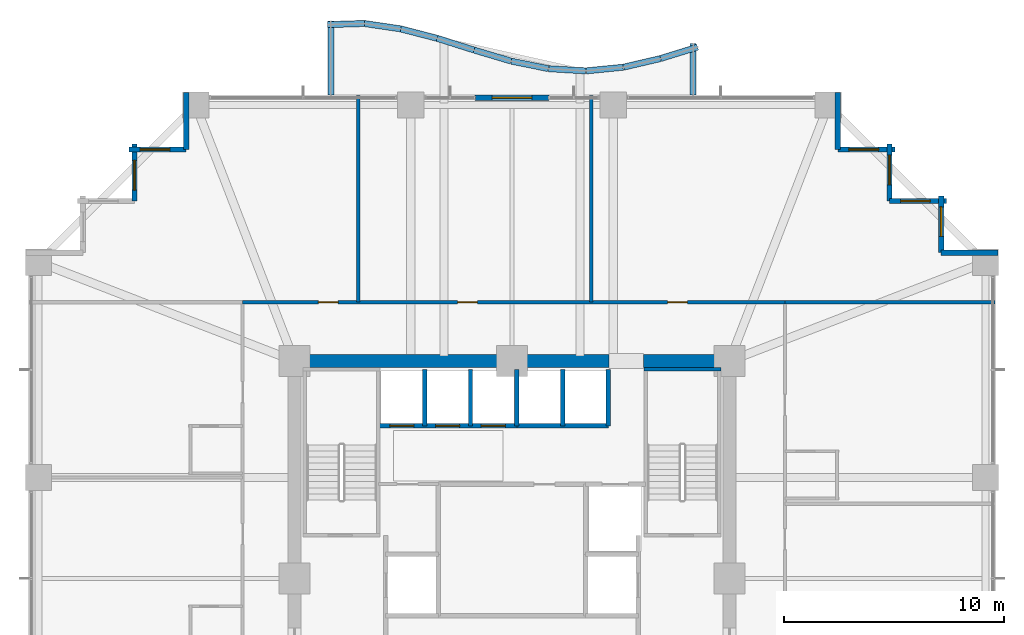
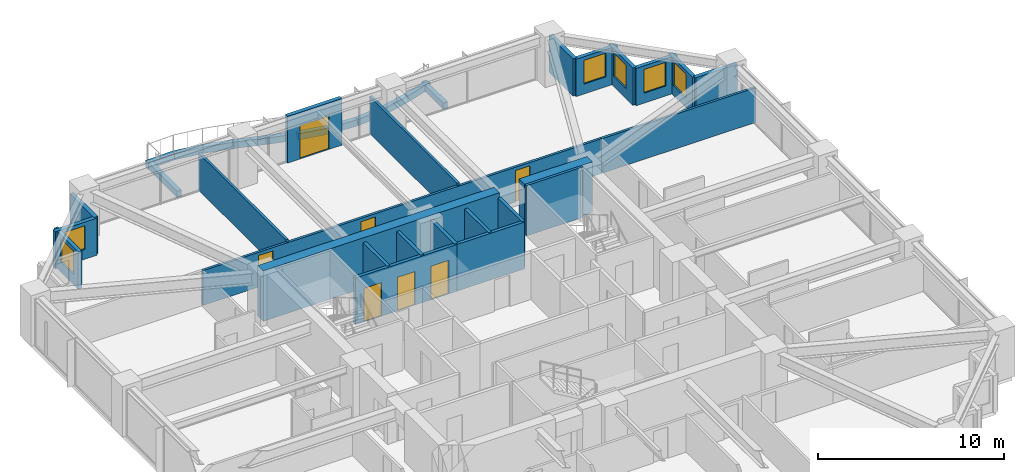
# One storey, part 35 of 38: 36 walls, 7 doors, 6 windows, 13 openings.
"""IFC4 building model written with IfcOpenShell, lengths in metres."""

import ifcopenshell
import ifcopenshell.guid

model = None  # the IFC model being written
_history = None  # IfcOwnerHistory: only IFC2X3 demands one
_inside = {}  # id of a spatial element -> (the spatial element, [elements in it])
_under = {}  # id of a project, library or spatial element -> (it, [spatial elements below it])
_declared = {}  # id of a project -> (the project, [libraries it declares])
_typed = {}  # id of a type object -> (the type object, [elements of that type])
_made_of = {}  # id of a material, layer set ... -> (it, [elements and type objects made of it])


def new_model(schema):
    """Start an empty IFC model of exactly this schema.

    Asked for "IFC4X3", IfcOpenShell would pick the latest addendum, in which some entities
    have other attributes; the version numbers below select the first issue.
    IFC2X3 requires an IfcOwnerHistory on every rooted entity: one is made here for all.
    """
    global model, _history
    if schema == "IFC4X3":
        model = ifcopenshell.file(schema_version=(4, 3, 0, 0))
    else:
        model = ifcopenshell.file(schema=schema)
    _inside.clear()
    _under.clear()
    _declared.clear()
    _typed.clear()
    _made_of.clear()
    _history = None
    if model.schema == "IFC2X3":
        org = make("IfcOrganization", Name="unknown")
        user = make(
            "IfcPersonAndOrganization",
            ThePerson=make("IfcPerson", FamilyName="unknown"),
            TheOrganization=org,
        )
        app = make(
            "IfcApplication",
            ApplicationDeveloper=org,
            Version="unknown",
            ApplicationFullName="unknown",
            ApplicationIdentifier="unknown",
        )
        _history = make(
            "IfcOwnerHistory",
            OwningUser=user,
            OwningApplication=app,
            ChangeAction="ADDED",
            CreationDate=0,
        )
    return model


def make(cls, **values):
    """One entity of the class cls with the attributes given. An attribute that is None is left unset."""
    return model.create_entity(
        cls, **{name: value for name, value in values.items() if value is not None}
    )


def rooted(cls, **values):
    """An entity with a GlobalId (a new one), such as an element, a storey or a relation."""
    return make(cls, GlobalId=ifcopenshell.guid.new(), OwnerHistory=_history, **values)


def si_unit(unit_type, name, prefix=None):
    """IfcSIUnit, for example si_unit("LENGTHUNIT", "METRE", prefix="MILLI")."""
    return make("IfcSIUnit", UnitType=unit_type, Prefix=prefix, Name=name)


def assignment(units):
    """IfcUnitAssignment: the units of a project."""
    return None if units is None else make("IfcUnitAssignment", Units=units)


def point(xyz):
    """IfcCartesianPoint."""
    return None if xyz is None else make("IfcCartesianPoint", Coordinates=xyz)


def direction(xyz):
    """IfcDirection."""
    return None if xyz is None else make("IfcDirection", DirectionRatios=xyz)


def frame(location, z_axis=None, x_axis=None):
    """IfcAxis2Placement3D, a coordinate frame: its origin and axes. An axis left out is left unset."""
    return make(
        "IfcAxis2Placement3D",
        Location=point(location),
        Axis=direction(z_axis),
        RefDirection=direction(x_axis),
    )


def frame_2d(location, x_axis=None):
    """IfcAxis2Placement2D, a coordinate frame in the plane: its origin and x axis."""
    return make(
        "IfcAxis2Placement2D", Location=point(location), RefDirection=direction(x_axis)
    )


def origin():
    """The frame at (0, 0, 0) with its axes left unset."""
    return frame((0.0, 0.0, 0.0))


def place(relative_to, where):
    """IfcLocalPlacement: puts the frame where relative to a parent placement (None: the world)."""
    return make(
        "IfcLocalPlacement", PlacementRelTo=relative_to, RelativePlacement=where
    )


def context(
    kind, dimensions, precision=None, world=None, true_north=None, identifier=None
):
    """IfcGeometricRepresentationContext, for example the 3D "Model" context."""
    return make(
        "IfcGeometricRepresentationContext",
        ContextIdentifier=identifier,
        ContextType=kind,
        CoordinateSpaceDimension=dimensions,
        Precision=precision,
        WorldCoordinateSystem=world,
        TrueNorth=true_north,
    )


def subcontext(parent, identifier, kind, view, scale=None):
    """IfcGeometricRepresentationSubContext, for example "Body" below "Model"."""
    return make(
        "IfcGeometricRepresentationSubContext",
        ContextIdentifier=identifier,
        ContextType=kind,
        ParentContext=parent,
        TargetScale=scale,
        TargetView=view,
    )


def project(units=None, contexts=None):
    """IfcProject with its units and contexts."""
    return rooted(
        "IfcProject",
        Name="project",
        RepresentationContexts=contexts,
        UnitsInContext=assignment(units),
    )


def spatial(cls, under=None, at=None, **own):
    """A site, building, storey or space (cls), placed at a placement, below another one or the project."""
    s = rooted(cls, ObjectPlacement=at, **own)
    if under is not None:
        _under.setdefault(under.id(), (under, []))[1].append(s)
    return s


def profile(cls, at=None, kind="AREA", **sizes):
    """A parametric profile (cls). Its sizes go by their IFC names, for example OverallWidth=200.0."""
    return make(cls, ProfileType=kind, Position=at, **sizes)


def rectangle(**sizes):
    """IfcRectangleProfileDef."""
    return profile("IfcRectangleProfileDef", **sizes)


def extrude(swept, where, along, depth):
    """IfcExtrudedAreaSolid: the profile swept, set in the frame where, extruded along a direction by depth."""
    return make(
        "IfcExtrudedAreaSolid",
        SweptArea=swept,
        Position=where,
        ExtrudedDirection=direction(along),
        Depth=depth,
    )


def shape(context_of_items, identifier, shape_type, items):
    """IfcShapeRepresentation: the items that make up one representation, for example the "Body"."""
    return make(
        "IfcShapeRepresentation",
        ContextOfItems=context_of_items,
        RepresentationIdentifier=identifier,
        RepresentationType=shape_type,
        Items=items,
    )


def material(Name=None, Category=None):
    """IfcMaterial."""
    return make("IfcMaterial", Name=Name, Category=Category)


def layer(
    of_material, thickness, ventilated=None, Name=None, Category=None, Priority=None
):
    """IfcMaterialLayer: one layer of a wall or slab, of a material (None: an air gap)."""
    return make(
        "IfcMaterialLayer",
        Material=of_material,
        LayerThickness=thickness,
        IsVentilated=ventilated,
        Name=Name,
        Category=Category,
        Priority=Priority,
    )


def layer_set(layers, Name=None):
    """IfcMaterialLayerSet."""
    return make("IfcMaterialLayerSet", MaterialLayers=layers, LayerSetName=Name)


def made_of(thing, what):
    """Note that an element or type object is made of a material, layer set ...; save() writes the relation."""
    if what is not None:
        _made_of.setdefault(what.id(), (what, []))[1].append(thing)
    return thing


def type_object(cls, material=None, **own):
    """A type object (cls), such as IfcWallType, which elements share."""
    return made_of(rooted(cls, **own), material)


def element(
    cls,
    number,
    at=None,
    inside=None,
    cuts=None,
    type_object=None,
    material=None,
    context=None,
    identifier="Body",
    shape_type=None,
    held_by="IfcProductDefinitionShape",
    body=None,
    shapes=None,
    **own,
):
    """One element of the class cls, such as IfcWall. Its Tag is "e" and its number.

    at: its placement. inside: the storey or other place that contains it. cuts: it is an
    opening in that element (IfcRelVoidsElement). A single representation is given by context,
    identifier, shape_type and body (its items); several are given by shapes. held_by: the class
    of the entity that holds the representations. save() writes the other relations.
    """
    e = rooted(cls, Tag="e%d" % number, ObjectPlacement=at, **own)
    if body is not None:
        shapes = [shape(context, identifier, shape_type, body)]
    if shapes is not None:
        e.Representation = make(held_by, Representations=shapes)
    if inside is not None:
        _inside.setdefault(inside.id(), (inside, []))[1].append(e)
    if cuts is not None:
        rooted(
            "IfcRelVoidsElement", RelatingBuildingElement=cuts, RelatedOpeningElement=e
        )
    if type_object is not None:
        _typed.setdefault(type_object.id(), (type_object, []))[1].append(e)
    return made_of(e, material)


def fill(opening, filler):
    """IfcRelFillsElement: the door or window that sits in an opening."""
    return rooted(
        "IfcRelFillsElement",
        RelatingOpeningElement=opening,
        RelatedBuildingElement=filler,
    )


def aggregate(whole, parts):
    """IfcRelAggregates: a whole, such as a stair, and the parts it consists of."""
    return rooted("IfcRelAggregates", RelatingObject=whole, RelatedObjects=parts)


def save(model, path):
    """Write the relations noted so far, then the file.

    IfcRelAggregates (storeys below a building ...), IfcRelContainedInSpatialStructure (elements
    in a storey), IfcRelDefinesByType, IfcRelAssociatesMaterial and IfcRelDeclares: one each for
    every whole, place, type object, material and project.
    """
    for whole, parts in _under.values():
        aggregate(whole, parts)
    for where, things in _inside.values():
        rooted(
            "IfcRelContainedInSpatialStructure",
            RelatedElements=things,
            RelatingStructure=where,
        )
    for kind, things in _typed.values():
        rooted("IfcRelDefinesByType", RelatedObjects=things, RelatingType=kind)
    for what, things in _made_of.values():
        rooted("IfcRelAssociatesMaterial", RelatedObjects=things, RelatingMaterial=what)
    for by, libraries in _declared.values():
        rooted("IfcRelDeclares", RelatingContext=by, RelatedDefinitions=libraries)
    model.write(path)


model = new_model("IFC4")

# Units and contexts
model_context = context("Model", 3, precision=1e-05, world=origin(), true_north=direction((0.0, 1.0)))
body_context = subcontext(model_context, "Body", "Model", "MODEL_VIEW")
ifc_project = project(units=[si_unit("LENGTHUNIT", "METRE"), si_unit("AREAUNIT", "SQUARE_METRE"), si_unit("VOLUMEUNIT", "CUBIC_METRE"), si_unit("PLANEANGLEUNIT", "RADIAN"), si_unit("MASSUNIT", "GRAM", prefix="KILO")], contexts=[model_context])

# Site, building, storey
site_placement = place(None, origin())
site = spatial("IfcSite", under=ifc_project, at=site_placement, CompositionType="ELEMENT")
building_placement = place(site_placement, origin())
building = spatial("IfcBuilding", under=site, at=building_placement, Name="Kolvaren Belvedere", CompositionType="ELEMENT")
storey_placement = place(building_placement, frame((0.0, 0.0, 27.10009765625)))
storey = spatial("IfcBuildingStorey", under=building, at=storey_placement, Name="L07", CompositionType="ELEMENT", Elevation=27.10009765625)

# Walls
ifc_material_1 = material(Name="Concrete C60/75", Category="concrete")
ifc_layer_1 = layer(ifc_material_1, 0.60009765625)
ifc_layer_set_1 = layer_set([ifc_layer_1], Name="Concrete C60/75")
wall_type_1 = type_object("IfcWallType", Name="CW-CORE-600", PredefinedType="SHEAR", material=ifc_layer_set_1)
wall_1_placement = place(storey_placement, frame((-10.199951171875, 9.89990234375, 0.0), z_axis=(0.0, 0.0, 1.0), x_axis=(1.0, 0.0, 0.0)))
element("IfcWall", 1, at=wall_1_placement, inside=storey, type_object=wall_type_1, Name="L07 North Core Shear Wall 1", PredefinedType="SHEAR", context=body_context, shape_type="SweptSolid", body=[
    extrude(rectangle(XDim=14.619873046875, YDim=0.60009765625, at=frame_2d((7.31005859375, 0.0))), origin(), (0.0, 0.0, 1.0), 3.2998046875),
])
wall_2_placement = place(storey_placement, frame((5.97998046875, 9.89990234375, 0.0), z_axis=(0.0, 0.0, 1.0), x_axis=(1.0, 0.0, 0.0)))
element("IfcWall", 2, at=wall_2_placement, inside=storey, type_object=wall_type_1, Name="L07 North Core Shear Wall 2", PredefinedType="SHEAR", context=body_context, shape_type="SweptSolid", body=[
    extrude(rectangle(XDim=4.219970703125, YDim=0.60009765625, at=frame_2d((2.10986328125, 0.0))), origin(), (0.0, 0.0, 1.0), 3.2998046875),
])
ifc_material_2 = material(Name="Concrete C50/60", Category="concrete")
ifc_layer_2 = layer(ifc_material_2, 0.159912109375)
ifc_layer_set_2 = layer_set([ifc_layer_2], Name="Concrete C50/60")
wall_type_2 = type_object("IfcWallType", Name="CW-STAIR-160", PredefinedType="SHEAR", material=ifc_layer_set_2)
wall_3_placement = place(storey_placement, frame((6.0, 9.530029296875, 0.0), z_axis=(0.0, 0.0, 1.0), x_axis=(1.0, 0.0, 0.0)))
element("IfcWall", 3, at=wall_3_placement, inside=storey, type_object=wall_type_2, Name="L07 Stair ST-2 North Shear Wall", PredefinedType="SHEAR", context=body_context, shape_type="SweptSolid", body=[
    extrude(rectangle(XDim=3.52001953125, YDim=0.159912109375, at=frame_2d((1.760009765625, 0.0))), origin(), (0.0, 0.0, 1.0), 3.2998046875),
])

# Wall, openings, doors
ifc_material_3 = material(Name="Gypsum fire-rated partition assembly", Category="gypsum")
ifc_layer_3 = layer(ifc_material_3, 0.14990234375)
ifc_layer_set_3 = layer_set([ifc_layer_3], Name="Gypsum fire-rated partition assembly")
wall_type_3 = type_object("IfcWallType", Name="WL-CORR-150", PredefinedType="PARTITIONING", material=ifc_layer_set_3)
wall_4_placement = place(storey_placement, frame((-12.260009765625, 12.580078125, 0.0), z_axis=(0.0, 0.0, 1.0), x_axis=(1.0, 0.0, 0.0)))
wall_4 = element("IfcWall", 4, at=wall_4_placement, inside=storey, type_object=wall_type_3, Name="L07 North Corridor Wall", PredefinedType="PARTITIONING", context=body_context, shape_type="SweptSolid", body=[
    extrude(rectangle(XDim=24.679931640625, YDim=0.14990234375, at=frame_2d((12.33984375, 0.0))), origin(), (0.0, 0.0, 1.0), 2.27197265625),
])
opening_1_placement = place(wall_4_placement, frame((3.4443359375, 0.0, 0.0)))
opening_1 = element("IfcOpeningElement", 5, at=opening_1_placement, cuts=wall_4, Name="Opening D-INT90", PredefinedType="OPENING", context=body_context, shape_type="SweptSolid", body=[
    extrude(rectangle(XDim=0.89990234375, YDim=2.06005859375, at=frame_2d((0.449951171875, 1.030029296875))), frame((0.0, 0.0849609375, 0.0), z_axis=(0.0, -1.0, 0.0), x_axis=(1.0, 0.0, 0.0)), (0.0, 0.0, 1.0), 0.169921875),
])
opening_2_placement = place(wall_4_placement, frame((9.780029296875, 0.0, 0.0)))
opening_2 = element("IfcOpeningElement", 6, at=opening_2_placement, cuts=wall_4, Name="Opening D-INT90", PredefinedType="OPENING", context=body_context, shape_type="SweptSolid", body=[
    extrude(rectangle(XDim=0.89990234375, YDim=2.06005859375, at=frame_2d((0.449951171875, 1.030029296875))), frame((0.0, 0.0849609375, 0.0), z_axis=(0.0, -1.0, 0.0), x_axis=(1.0, 0.0, 0.0)), (0.0, 0.0, 1.0), 0.169921875),
])
opening_3_placement = place(wall_4_placement, frame((19.344970703125, 0.0, 0.0)))
opening_3 = element("IfcOpeningElement", 7, at=opening_3_placement, cuts=wall_4, Name="Opening D-INT90", PredefinedType="OPENING", context=body_context, shape_type="SweptSolid", body=[
    extrude(rectangle(XDim=0.89990234375, YDim=2.06005859375, at=frame_2d((0.449951171875, 1.030029296875))), frame((0.0, 0.0849609375, 0.0), z_axis=(0.0, -1.0, 0.0), x_axis=(1.0, 0.0, 0.0)), (0.0, 0.0, 1.0), 0.169921875),
])
ifc_material_4 = material(Name="Stained Pacific white oak", Category="timber")
door_type_1 = type_object("IfcDoorType", Name="DR-INT-900", OperationType="NOTDEFINED", PredefinedType="DOOR", material=ifc_material_4)
door_1_placement = place(opening_1_placement, origin())
door_1 = element("IfcDoor", 8, at=door_1_placement, inside=storey, type_object=door_type_1, Name="L07 Lounge 712 Door", OperationType="SINGLE_SWING_RIGHT", OverallHeight=2.06005859375, OverallWidth=0.89990234375, PredefinedType="DOOR", context=body_context, shape_type="SweptSolid", body=[
    extrude(rectangle(XDim=0.89990234375, YDim=2.06005859375, at=frame_2d((0.449951171875, 1.030029296875))), frame((0.0, 0.02490234375, 0.0), z_axis=(0.0, -1.0, 0.0), x_axis=(1.0, 0.0, 0.0)), (0.0, 0.0, 1.0), 0.050048828125),
])
fill(opening_1, door_1)
door_2_placement = place(opening_2_placement, origin())
door_2 = element("IfcDoor", 9, at=door_2_placement, inside=storey, type_object=door_type_1, Name="L07 Lounge 713 Door", OperationType="SINGLE_SWING_LEFT", OverallHeight=2.06005859375, OverallWidth=0.89990234375, PredefinedType="DOOR", context=body_context, shape_type="SweptSolid", body=[
    extrude(rectangle(XDim=0.89990234375, YDim=2.06005859375, at=frame_2d((0.449951171875, 1.030029296875))), frame((0.0, 0.02490234375, 0.0), z_axis=(0.0, -1.0, 0.0), x_axis=(1.0, 0.0, 0.0)), (0.0, 0.0, 1.0), 0.050048828125),
])
fill(opening_2, door_2)
door_3_placement = place(opening_3_placement, origin())
door_3 = element("IfcDoor", 10, at=door_3_placement, inside=storey, type_object=door_type_1, Name="L07 Lounge 714 Door", OperationType="SINGLE_SWING_RIGHT", OverallHeight=2.06005859375, OverallWidth=0.89990234375, PredefinedType="DOOR", context=body_context, shape_type="SweptSolid", body=[
    extrude(rectangle(XDim=0.89990234375, YDim=2.06005859375, at=frame_2d((0.449951171875, 1.030029296875))), frame((0.0, 0.02490234375, 0.0), z_axis=(0.0, -1.0, 0.0), x_axis=(1.0, 0.0, 0.0)), (0.0, 0.0, 1.0), 0.050048828125),
])
fill(opening_3, door_3)

# Wall
ifc_material_5 = material(Name="Insulated pale-metal facade wall assembly", Category="aluminium")
ifc_layer_4 = layer(ifc_material_5, 0.239990234375)
ifc_layer_set_4 = layer_set([ifc_layer_4], Name="Insulated pale-metal facade wall assembly")
wall_type_4 = type_object("IfcWallType", Name="WL-EXT-240", PredefinedType="STANDARD", material=ifc_layer_set_4)
wall_5_placement = place(storey_placement, frame((19.530029296875, 14.830078125, 0.0), z_axis=(0.0, 0.0, 1.0), x_axis=(1.0, 0.0, 0.0)))
element("IfcWall", 11, at=wall_5_placement, inside=storey, type_object=wall_type_4, Name="L07 Serrated Corner Facade Wall 9", PredefinedType="STANDARD", context=body_context, shape_type="SweptSolid", body=[
    extrude(rectangle(XDim=2.590087890625, YDim=0.239990234375, at=frame_2d((1.294921875, 0.0))), origin(), (0.0, 0.0, 1.0), 2.43896484375),
])

# Wall, opening, window
wall_6_placement = place(storey_placement, frame((19.530029296875, 17.419921875, 0.0), z_axis=(0.0, 0.0, 1.0), x_axis=(0.0, -1.0, 0.0)))
wall_6 = element("IfcWall", 12, at=wall_6_placement, inside=storey, type_object=wall_type_4, Name="L07 Serrated Corner Facade Wall 10", PredefinedType="STANDARD", context=body_context, shape_type="SweptSolid", body=[
    extrude(rectangle(XDim=2.58984375, YDim=0.239990234375, at=frame_2d((1.294921875, 0.0))), origin(), (0.0, 0.0, 1.0), 2.43896484375),
])
opening_4_placement = place(wall_6_placement, frame((0.5, 0.0, 0.64990234375)))
opening_4 = element("IfcOpeningElement", 13, at=opening_4_placement, cuts=wall_6, Name="Opening W-1350", PredefinedType="OPENING", context=body_context, shape_type="SweptSolid", body=[
    extrude(rectangle(XDim=1.35009765625, YDim=1.550048828125, at=frame_2d((0.675048828125, 0.77490234375))), frame((0.0, 0.1298828125, 0.0), z_axis=(0.0, -1.0, 0.0), x_axis=(1.0, 0.0, 0.0)), (0.0, 0.0, 1.0), 0.260009765625),
])
ifc_material_6 = material(Name="Low-iron triple insulated glass", Category="glass")
window_type = type_object("IfcWindowType", Name="WN-CORN-1350", PartitioningType="SINGLE_PANEL", PredefinedType="WINDOW", material=ifc_material_6)
window_1_placement = place(opening_4_placement, origin())
window_1 = element("IfcWindow", 14, at=window_1_placement, inside=storey, type_object=window_type, Name="L07 Serrated Corner Vision Window 10", OverallHeight=1.550048828125, OverallWidth=1.35009765625, PartitioningType="SINGLE_PANEL", PredefinedType="WINDOW", context=body_context, shape_type="SweptSolid", body=[
    extrude(rectangle(XDim=1.35009765625, YDim=1.550048828125, at=frame_2d((0.675048828125, 0.77490234375))), frame((0.0, 0.030029296875, 0.0), z_axis=(0.0, -1.0, 0.0), x_axis=(1.0, 0.0, 0.0)), (0.0, 0.0, 1.0), 0.06005859375),
])
fill(opening_4, window_1)

wall_7_placement = place(storey_placement, frame((17.179931640625, 17.179931640625, 0.0), z_axis=(0.0, 0.0, 1.0), x_axis=(1.0, 0.0, 0.0)))
wall_7 = element("IfcWall", 15, at=wall_7_placement, inside=storey, type_object=wall_type_4, Name="L07 Serrated Corner Facade Wall 11", PredefinedType="STANDARD", context=body_context, shape_type="SweptSolid", body=[
    extrude(rectangle(XDim=2.590087890625, YDim=0.239990234375, at=frame_2d((1.294921875, 0.0))), origin(), (0.0, 0.0, 1.0), 2.43896484375),
])
opening_5_placement = place(wall_7_placement, frame((0.5, 0.0, 0.64990234375)))
opening_5 = element("IfcOpeningElement", 16, at=opening_5_placement, cuts=wall_7, Name="Opening W-1350", PredefinedType="OPENING", context=body_context, shape_type="SweptSolid", body=[
    extrude(rectangle(XDim=1.35009765625, YDim=1.550048828125, at=frame_2d((0.675048828125, 0.77490234375))), frame((0.0, 0.1298828125, 0.0), z_axis=(0.0, -1.0, 0.0), x_axis=(1.0, 0.0, 0.0)), (0.0, 0.0, 1.0), 0.260009765625),
])
window_2_placement = place(opening_5_placement, origin())
window_2 = element("IfcWindow", 17, at=window_2_placement, inside=storey, type_object=window_type, Name="L07 Serrated Corner Vision Window 11", OverallHeight=1.550048828125, OverallWidth=1.35009765625, PartitioningType="SINGLE_PANEL", PredefinedType="WINDOW", context=body_context, shape_type="SweptSolid", body=[
    extrude(rectangle(XDim=1.35009765625, YDim=1.550048828125, at=frame_2d((0.675048828125, 0.77490234375))), frame((0.0, 0.030029296875, 0.0), z_axis=(0.0, -1.0, 0.0), x_axis=(1.0, 0.0, 0.0)), (0.0, 0.0, 1.0), 0.06005859375),
])
fill(opening_5, window_2)

wall_8_placement = place(storey_placement, frame((17.179931640625, 19.77001953125, 0.0), z_axis=(0.0, 0.0, 1.0), x_axis=(0.0, -1.0, 0.0)))
wall_8 = element("IfcWall", 18, at=wall_8_placement, inside=storey, type_object=wall_type_4, Name="L07 Serrated Corner Facade Wall 12", PredefinedType="STANDARD", context=body_context, shape_type="SweptSolid", body=[
    extrude(rectangle(XDim=2.590087890625, YDim=0.239990234375, at=frame_2d((1.294921875, 0.0))), origin(), (0.0, 0.0, 1.0), 2.43896484375),
])
opening_6_placement = place(wall_8_placement, frame((0.5, 0.0, 0.64990234375)))
opening_6 = element("IfcOpeningElement", 19, at=opening_6_placement, cuts=wall_8, Name="Opening W-1350", PredefinedType="OPENING", context=body_context, shape_type="SweptSolid", body=[
    extrude(rectangle(XDim=1.35009765625, YDim=1.550048828125, at=frame_2d((0.675048828125, 0.77490234375))), frame((0.0, 0.1298828125, 0.0), z_axis=(0.0, -1.0, 0.0), x_axis=(1.0, 0.0, 0.0)), (0.0, 0.0, 1.0), 0.260009765625),
])
window_3_placement = place(opening_6_placement, origin())
window_3 = element("IfcWindow", 20, at=window_3_placement, inside=storey, type_object=window_type, Name="L07 Serrated Corner Vision Window 12", OverallHeight=1.550048828125, OverallWidth=1.35009765625, PartitioningType="SINGLE_PANEL", PredefinedType="WINDOW", context=body_context, shape_type="SweptSolid", body=[
    extrude(rectangle(XDim=1.35009765625, YDim=1.550048828125, at=frame_2d((0.675048828125, 0.77490234375))), frame((0.0, 0.030029296875, 0.0), z_axis=(0.0, -1.0, 0.0), x_axis=(1.0, 0.0, 0.0)), (0.0, 0.0, 1.0), 0.06005859375),
])
fill(opening_6, window_3)

wall_9_placement = place(storey_placement, frame((14.830078125, 19.530029296875, 0.0), z_axis=(0.0, 0.0, 1.0), x_axis=(1.0, 0.0, 0.0)))
wall_9 = element("IfcWall", 21, at=wall_9_placement, inside=storey, type_object=wall_type_4, Name="L07 Serrated Corner Facade Wall 13", PredefinedType="STANDARD", context=body_context, shape_type="SweptSolid", body=[
    extrude(rectangle(XDim=2.58984375, YDim=0.239990234375, at=frame_2d((1.294921875, 0.0))), origin(), (0.0, 0.0, 1.0), 2.43896484375),
])
opening_7_placement = place(wall_9_placement, frame((0.5, 0.0, 0.64990234375)))
opening_7 = element("IfcOpeningElement", 22, at=opening_7_placement, cuts=wall_9, Name="Opening W-1350", PredefinedType="OPENING", context=body_context, shape_type="SweptSolid", body=[
    extrude(rectangle(XDim=1.35009765625, YDim=1.550048828125, at=frame_2d((0.675048828125, 0.77490234375))), frame((0.0, 0.1298828125, 0.0), z_axis=(0.0, -1.0, 0.0), x_axis=(1.0, 0.0, 0.0)), (0.0, 0.0, 1.0), 0.260009765625),
])
window_4_placement = place(opening_7_placement, origin())
window_4 = element("IfcWindow", 23, at=window_4_placement, inside=storey, type_object=window_type, Name="L07 Serrated Corner Vision Window 13", OverallHeight=1.550048828125, OverallWidth=1.35009765625, PartitioningType="SINGLE_PANEL", PredefinedType="WINDOW", context=body_context, shape_type="SweptSolid", body=[
    extrude(rectangle(XDim=1.35009765625, YDim=1.550048828125, at=frame_2d((0.675048828125, 0.77490234375))), frame((0.0, 0.030029296875, 0.0), z_axis=(0.0, -1.0, 0.0), x_axis=(1.0, 0.0, 0.0)), (0.0, 0.0, 1.0), 0.06005859375),
])
fill(opening_7, window_4)

# Wall
wall_10_placement = place(storey_placement, frame((14.830078125, 22.1201171875, 0.0), z_axis=(0.0, 0.0, 1.0), x_axis=(0.0, -1.0, 0.0)))
element("IfcWall", 24, at=wall_10_placement, inside=storey, type_object=wall_type_4, Name="L07 Serrated Corner Facade Wall 14", PredefinedType="STANDARD", context=body_context, shape_type="SweptSolid", body=[
    extrude(rectangle(XDim=2.590087890625, YDim=0.239990234375, at=frame_2d((1.294921875, 0.0))), origin(), (0.0, 0.0, 1.0), 2.43896484375),
])

# Wall, opening, door
wall_11_placement = place(storey_placement, frame((-1.679931640625, 21.8798828125, 0.0), z_axis=(0.0, 0.0, 1.0), x_axis=(1.0, 0.0, 0.0)))
wall_11 = element("IfcWall", 25, at=wall_11_placement, inside=storey, type_object=wall_type_4, Name="L07 North Terrace Portal Wall", PredefinedType="STANDARD", context=body_context, shape_type="SweptSolid", body=[
    extrude(rectangle(XDim=3.35986328125, YDim=0.239990234375, at=frame_2d((1.679931640625, 0.0))), origin(), (0.0, 0.0, 1.0), 3.059814453125),
])
opening_8_placement = place(wall_11_placement, frame((0.780029296875, 0.0, 0.0)))
opening_8 = element("IfcOpeningElement", 26, at=opening_8_placement, cuts=wall_11, Name="Opening DB-1800", PredefinedType="OPENING", context=body_context, shape_type="SweptSolid", body=[
    extrude(rectangle(XDim=1.800048828125, YDim=2.199951171875, at=frame_2d((0.89990234375, 1.10009765625))), frame((0.0, 0.1298828125, 0.0), z_axis=(0.0, -1.0, 0.0), x_axis=(1.0, 0.0, 0.0)), (0.0, 0.0, 1.0), 0.260009765625),
])
ifc_material_7 = material(Name="Thermally broken pale-metal aluminium & low-iron glass", Category="aluminium")
door_type_2 = type_object("IfcDoorType", Name="DR-BAL-1800", OperationType="DOUBLE_DOOR_SLIDING", PredefinedType="DOOR", material=ifc_material_7)
door_4_placement = place(opening_8_placement, origin())
door_4 = element("IfcDoor", 27, at=door_4_placement, inside=storey, type_object=door_type_2, Name="L07 North Planted Terrace Sliding Door", OperationType="DOUBLE_DOOR_SLIDING", OverallHeight=2.199951171875, OverallWidth=1.800048828125, PredefinedType="DOOR", context=body_context, shape_type="SweptSolid", body=[
    extrude(rectangle(XDim=1.800048828125, YDim=2.199951171875, at=frame_2d((0.89990234375, 1.10009765625))), frame((0.0, 0.02490234375, 0.0), z_axis=(0.0, -1.0, 0.0), x_axis=(1.0, 0.0, 0.0)), (0.0, 0.0, 1.0), 0.050048828125),
])
fill(opening_8, door_4)

# Wall
wall_12_placement = place(storey_placement, frame((-14.830078125, 19.530029296875, 0.0), z_axis=(0.0, 0.0, 1.0), x_axis=(0.0, 1.0, 0.0)))
element("IfcWall", 28, at=wall_12_placement, inside=storey, type_object=wall_type_4, Name="L07 Serrated Corner Facade Wall 16", PredefinedType="STANDARD", context=body_context, shape_type="SweptSolid", body=[
    extrude(rectangle(XDim=2.590087890625, YDim=0.239990234375, at=frame_2d((1.294921875, 0.0))), origin(), (0.0, 0.0, 1.0), 2.43896484375),
])

# Wall, opening, window
wall_13_placement = place(storey_placement, frame((-17.419921875, 19.530029296875, 0.0), z_axis=(0.0, 0.0, 1.0), x_axis=(1.0, 0.0, 0.0)))
wall_13 = element("IfcWall", 29, at=wall_13_placement, inside=storey, type_object=wall_type_4, Name="L07 Serrated Corner Facade Wall 17", PredefinedType="STANDARD", context=body_context, shape_type="SweptSolid", body=[
    extrude(rectangle(XDim=2.58984375, YDim=0.239990234375, at=frame_2d((1.294921875, 0.0))), origin(), (0.0, 0.0, 1.0), 2.43896484375),
])
opening_9_placement = place(wall_13_placement, frame((0.5, 0.0, 0.64990234375)))
opening_9 = element("IfcOpeningElement", 30, at=opening_9_placement, cuts=wall_13, Name="Opening W-1350", PredefinedType="OPENING", context=body_context, shape_type="SweptSolid", body=[
    extrude(rectangle(XDim=1.35009765625, YDim=1.550048828125, at=frame_2d((0.675048828125, 0.77490234375))), frame((0.0, 0.1298828125, 0.0), z_axis=(0.0, -1.0, 0.0), x_axis=(1.0, 0.0, 0.0)), (0.0, 0.0, 1.0), 0.260009765625),
])
window_5_placement = place(opening_9_placement, origin())
window_5 = element("IfcWindow", 31, at=window_5_placement, inside=storey, type_object=window_type, Name="L07 Serrated Corner Vision Window 17", OverallHeight=1.550048828125, OverallWidth=1.35009765625, PartitioningType="SINGLE_PANEL", PredefinedType="WINDOW", context=body_context, shape_type="SweptSolid", body=[
    extrude(rectangle(XDim=1.35009765625, YDim=1.550048828125, at=frame_2d((0.675048828125, 0.77490234375))), frame((0.0, 0.030029296875, 0.0), z_axis=(0.0, -1.0, 0.0), x_axis=(1.0, 0.0, 0.0)), (0.0, 0.0, 1.0), 0.06005859375),
])
fill(opening_9, window_5)

wall_14_placement = place(storey_placement, frame((-17.179931640625, 17.179931640625, 0.0), z_axis=(0.0, 0.0, 1.0), x_axis=(0.0, 1.0, 0.0)))
wall_14 = element("IfcWall", 32, at=wall_14_placement, inside=storey, type_object=wall_type_4, Name="L07 Serrated Corner Facade Wall 18", PredefinedType="STANDARD", context=body_context, shape_type="SweptSolid", body=[
    extrude(rectangle(XDim=2.590087890625, YDim=0.239990234375, at=frame_2d((1.294921875, 0.0))), origin(), (0.0, 0.0, 1.0), 2.43896484375),
])
opening_10_placement = place(wall_14_placement, frame((0.5, 0.0, 0.64990234375)))
opening_10 = element("IfcOpeningElement", 33, at=opening_10_placement, cuts=wall_14, Name="Opening W-1350", PredefinedType="OPENING", context=body_context, shape_type="SweptSolid", body=[
    extrude(rectangle(XDim=1.35009765625, YDim=1.550048828125, at=frame_2d((0.675048828125, 0.77490234375))), frame((0.0, 0.1298828125, 0.0), z_axis=(0.0, -1.0, 0.0), x_axis=(1.0, 0.0, 0.0)), (0.0, 0.0, 1.0), 0.260009765625),
])
window_6_placement = place(opening_10_placement, origin())
window_6 = element("IfcWindow", 34, at=window_6_placement, inside=storey, type_object=window_type, Name="L07 Serrated Corner Vision Window 18", OverallHeight=1.550048828125, OverallWidth=1.35009765625, PartitioningType="SINGLE_PANEL", PredefinedType="WINDOW", context=body_context, shape_type="SweptSolid", body=[
    extrude(rectangle(XDim=1.35009765625, YDim=1.550048828125, at=frame_2d((0.675048828125, 0.77490234375))), frame((0.0, 0.030029296875, 0.0), z_axis=(0.0, -1.0, 0.0), x_axis=(1.0, 0.0, 0.0)), (0.0, 0.0, 1.0), 0.06005859375),
])
fill(opening_10, window_6)

# Walls
ifc_material_8 = material(Name="Gypsum acoustic partition assembly", Category="gypsum")
ifc_layer_5 = layer(ifc_material_8, 0.14990234375)
ifc_layer_set_5 = layer_set([ifc_layer_5], Name="Gypsum acoustic partition assembly")
wall_type_5 = type_object("IfcWallType", Name="WL-PART-150", PredefinedType="PARTITIONING", material=ifc_layer_set_5)
wall_15_placement = place(storey_placement, frame((12.419921875, 12.580078125, 0.0), z_axis=(0.0, 0.0, 1.0), x_axis=(1.0, 0.0, 0.0)))
element("IfcWall", 35, at=wall_15_placement, inside=storey, type_object=wall_type_5, Name="L07 Wing Divider PW-L07-QNE", PredefinedType="PARTITIONING", context=body_context, shape_type="SweptSolid", body=[
    extrude(rectangle(XDim=9.56005859375, YDim=0.14990234375, at=frame_2d((4.780029296875, 0.0))), origin(), (0.0, 0.0, 1.0), 2.27197265625),
])
for number, where, z_axis, x_axis, name in (
    (36, (-7.0, 12.580078125, 0.0), (0.0, 0.0, 1.0), (0.0, 1.0, 0.0), "L07 North Suite Demising Wall 1"),
    (37, (3.60009765625, 12.580078125, 0.0), (0.0, 0.0, 1.0), (0.0, 1.0, 0.0), "L07 North Suite Demising Wall 2"),
):
    element("IfcWall", number, at=place(storey_placement, frame(where, z_axis=z_axis, x_axis=x_axis)), inside=storey, type_object=wall_type_5, Name=name, PredefinedType="PARTITIONING", context=body_context, shape_type="SweptSolid", body=[
        extrude(rectangle(XDim=9.39990234375, YDim=0.14990234375, at=frame_2d((4.699951171875, 0.0))), origin(), (0.0, 0.0, 1.0), 2.428955078125),
    ])
ifc_material_9 = material(Name="Precast concrete C40/50", Category="concrete")
ifc_layer_6 = layer(ifc_material_9, 0.300048828125)
ifc_layer_set_6 = layer_set([ifc_layer_6], Name="Precast concrete C40/50")
wall_type_6 = type_object("IfcWallType", Name="WL-PLANTER-300", PredefinedType="PARAPET", material=ifc_layer_set_6)
wall_16_placement = place(storey_placement, frame((8.239990234375, 22.0, -0.06005859375), z_axis=(0.0, 0.0, 1.0), x_axis=(0.0, 1.0, 0.0)))
element("IfcWall", 38, at=wall_16_placement, inside=storey, type_object=wall_type_6, Name="L07 Precast Structural Planter Wall BAL-N-11", PredefinedType="PARAPET", context=body_context, shape_type="SweptSolid", body=[
    extrude(rectangle(XDim=2.340087890625, YDim=0.280029296875, at=frame_2d((1.169921875, 0.0))), origin(), (0.0, 0.0, 1.0), 0.419921875),
])
wall_17_placement = place(storey_placement, frame((8.447265625, 24.187255859375, -0.06005859375), z_axis=(0.0, 0.0, 1.0), x_axis=(-0.95524013163, -0.295831524561, 0.0)))
element("IfcWall", 39, at=wall_17_placement, inside=storey, type_object=wall_type_6, Name="L07 Precast Structural Planter Wall BAL-N-12", PredefinedType="PARAPET", context=body_context, shape_type="SweptSolid", body=[
    extrude(rectangle(XDim=1.758544921875, YDim=0.280029296875, at=frame_2d((0.87939453125, 0.0))), origin(), (0.0, 0.0, 1.0), 0.419921875),
])
wall_18_placement = place(storey_placement, frame((6.75634765625, 23.663818359375, -0.06005859375), z_axis=(0.0, 0.0, 1.0), x_axis=(-0.973890253884, -0.227019323824, 0.0)))
element("IfcWall", 40, at=wall_18_placement, inside=storey, type_object=wall_type_6, Name="L07 Precast Structural Planter Wall BAL-N-13", PredefinedType="PARAPET", context=body_context, shape_type="SweptSolid", body=[
    extrude(rectangle(XDim=1.724853515625, YDim=0.280029296875, at=frame_2d((0.8623046875, 0.0))), origin(), (0.0, 0.0, 1.0), 0.419921875),
])
wall_19_placement = place(storey_placement, frame((5.0556640625, 23.268798828125, -0.06005859375), z_axis=(0.0, 0.0, 1.0), x_axis=(-0.995152499202, -0.098343801694, 0.0)))
element("IfcWall", 41, at=wall_19_placement, inside=storey, type_object=wall_type_6, Name="L07 Precast Structural Planter Wall BAL-N-14", PredefinedType="PARAPET", context=body_context, shape_type="SweptSolid", body=[
    extrude(rectangle(XDim=1.688232421875, YDim=0.280029296875, at=frame_2d((0.84423828125, 0.0))), origin(), (0.0, 0.0, 1.0), 0.419921875),
])
wall_20_placement = place(storey_placement, frame((3.350341796875, 23.102294921875, -0.06005859375), z_axis=(0.0, 0.0, 1.0), x_axis=(-0.998203631072, 0.059912527196, 0.0)))
element("IfcWall", 42, at=wall_20_placement, inside=storey, type_object=wall_type_6, Name="L07 Precast Structural Planter Wall BAL-N-15", PredefinedType="PARAPET", context=body_context, shape_type="SweptSolid", body=[
    extrude(rectangle(XDim=1.682861328125, YDim=0.280029296875, at=frame_2d((0.84130859375, 0.0))), origin(), (0.0, 0.0, 1.0), 0.419921875),
])
wall_21_placement = place(storey_placement, frame((1.64794921875, 23.2060546875, -0.06005859375), z_axis=(0.0, 0.0, 1.0), x_axis=(-0.979867779516, 0.199647526069, 0.0)))
element("IfcWall", 43, at=wall_21_placement, inside=storey, type_object=wall_type_6, Name="L07 Precast Structural Planter Wall BAL-N-16", PredefinedType="PARAPET", context=body_context, shape_type="SweptSolid", body=[
    extrude(rectangle(XDim=1.71435546875, YDim=0.280029296875, at=frame_2d((0.857177734375, 0.0))), origin(), (0.0, 0.0, 1.0), 0.419921875),
])
wall_22_placement = place(storey_placement, frame((-0.045654296875, 23.5517578125, -0.06005859375), z_axis=(0.0, 0.0, 1.0), x_axis=(-0.958525043221, 0.28500831833, 0.0)))
element("IfcWall", 44, at=wall_22_placement, inside=storey, type_object=wall_type_6, Name="L07 Precast Structural Planter Wall BAL-N-17", PredefinedType="PARAPET", context=body_context, shape_type="SweptSolid", body=[
    extrude(rectangle(XDim=1.752685546875, YDim=0.280029296875, at=frame_2d((0.87646484375, 0.0))), origin(), (0.0, 0.0, 1.0), 0.419921875),
])
wall_23_placement = place(storey_placement, frame((-1.728515625, 24.052001953125, -0.06005859375), z_axis=(0.0, 0.0, 1.0), x_axis=(-0.953142020151, 0.302523204768, 0.0)))
element("IfcWall", 45, at=wall_23_placement, inside=storey, type_object=wall_type_6, Name="L07 Precast Structural Planter Wall BAL-N-18", PredefinedType="PARAPET", context=body_context, shape_type="SweptSolid", body=[
    extrude(rectangle(XDim=1.762451171875, YDim=0.280029296875, at=frame_2d((0.88134765625, 0.0))), origin(), (0.0, 0.0, 1.0), 0.419921875),
])
wall_24_placement = place(storey_placement, frame((-3.400146484375, 24.582763671875, -0.06005859375), z_axis=(0.0, 0.0, 1.0), x_axis=(-0.968132209145, 0.250439664624, 0.0)))
element("IfcWall", 46, at=wall_24_placement, inside=storey, type_object=wall_type_6, Name="L07 Precast Structural Planter Wall BAL-N-19", PredefinedType="PARAPET", context=body_context, shape_type="SweptSolid", body=[
    extrude(rectangle(XDim=1.7353515625, YDim=0.280029296875, at=frame_2d((0.86767578125, 0.0))), origin(), (0.0, 0.0, 1.0), 0.419921875),
])
wall_25_placement = place(storey_placement, frame((-5.063232421875, 25.013916015625, -0.06005859375), z_axis=(0.0, 0.0, 1.0), x_axis=(-0.98929818871, 0.145907826437, 0.0)))
element("IfcWall", 47, at=wall_25_placement, inside=storey, type_object=wall_type_6, Name="L07 Precast Structural Planter Wall BAL-N-20", PredefinedType="PARAPET", context=body_context, shape_type="SweptSolid", body=[
    extrude(rectangle(XDim=1.6982421875, YDim=0.280029296875, at=frame_2d((0.84912109375, 0.0))), origin(), (0.0, 0.0, 1.0), 0.419921875),
])
wall_26_placement = place(storey_placement, frame((-6.715087890625, 25.260009765625, -0.06005859375), z_axis=(0.0, 0.0, 1.0), x_axis=(-0.999507673088, -0.031375331694, 0.0)))
element("IfcWall", 48, at=wall_26_placement, inside=storey, type_object=wall_type_6, Name="L07 Precast Structural Planter Wall BAL-N-21", PredefinedType="PARAPET", context=body_context, shape_type="SweptSolid", body=[
    extrude(rectangle(XDim=1.6806640625, YDim=0.280029296875, at=frame_2d((0.84033203125, 0.0))), origin(), (0.0, 0.0, 1.0), 0.419921875),
])
wall_27_placement = place(storey_placement, frame((-8.239990234375, 25.3671875, -0.06005859375), z_axis=(0.0, 0.0, 1.0), x_axis=(0.0, -1.0, 0.0)))
element("IfcWall", 49, at=wall_27_placement, inside=storey, type_object=wall_type_6, Name="L07 Precast Structural Planter Wall BAL-N-22", PredefinedType="PARAPET", context=body_context, shape_type="SweptSolid", body=[
    extrude(rectangle(XDim=3.3671875, YDim=0.280029296875, at=frame_2d((1.68359375, 0.0))), origin(), (0.0, 0.0, 1.0), 0.419921875),
])

# Wall, openings, doors
ifc_material_10 = material(Name="Concrete C50/60", Category="concrete")
ifc_layer_7 = layer(ifc_material_10, 0.199951171875)
ifc_layer_set_7 = layer_set([ifc_layer_7], Name="Concrete C50/60")
wall_type_7 = type_object("IfcWallType", Name="WL-SHAFT-200", PredefinedType="SOLIDWALL", material=ifc_layer_set_7)
wall_28_placement = place(storey_placement, frame((-6.080078125, 6.949951171875, 0.0), z_axis=(0.0, 0.0, 1.0), x_axis=(1.0, 0.0, 0.0)))
wall_28 = element("IfcWall", 50, at=wall_28_placement, inside=storey, type_object=wall_type_7, Name="L07 Low-Rise Lift Bank Front Wall", PredefinedType="SOLIDWALL", context=body_context, shape_type="SweptSolid", body=[
    extrude(rectangle(XDim=6.300048828125, YDim=0.199951171875, at=frame_2d((3.14990234375, 0.0))), origin(), (0.0, 0.0, 1.0), 3.059814453125),
])
opening_11_placement = place(wall_28_placement, frame((0.52001953125, 0.0, 0.0)))
opening_11 = element("IfcOpeningElement", 51, at=opening_11_placement, cuts=wall_28, Name="Opening LD-11", PredefinedType="OPENING", context=body_context, shape_type="SweptSolid", body=[
    extrude(rectangle(XDim=1.10009765625, YDim=2.199951171875, at=frame_2d((0.550048828125, 1.10009765625))), frame((0.0, 0.10986328125, 0.0), z_axis=(0.0, -1.0, 0.0), x_axis=(1.0, 0.0, 0.0)), (0.0, 0.0, 1.0), 0.219970703125),
])
opening_12_placement = place(wall_28_placement, frame((2.60009765625, 0.0, 0.0)))
opening_12 = element("IfcOpeningElement", 52, at=opening_12_placement, cuts=wall_28, Name="Opening LD-11", PredefinedType="OPENING", context=body_context, shape_type="SweptSolid", body=[
    extrude(rectangle(XDim=1.10009765625, YDim=2.199951171875, at=frame_2d((0.550048828125, 1.10009765625))), frame((0.0, 0.10986328125, 0.0), z_axis=(0.0, -1.0, 0.0), x_axis=(1.0, 0.0, 0.0)), (0.0, 0.0, 1.0), 0.219970703125),
])
opening_13_placement = place(wall_28_placement, frame((4.679931640625, 0.0, 0.0)))
opening_13 = element("IfcOpeningElement", 53, at=opening_13_placement, cuts=wall_28, Name="Opening LD-11", PredefinedType="OPENING", context=body_context, shape_type="SweptSolid", body=[
    extrude(rectangle(XDim=1.10009765625, YDim=2.199951171875, at=frame_2d((0.550048828125, 1.10009765625))), frame((0.0, 0.10986328125, 0.0), z_axis=(0.0, -1.0, 0.0), x_axis=(1.0, 0.0, 0.0)), (0.0, 0.0, 1.0), 0.219970703125),
])
ifc_material_11 = material(Name="Brushed stainless steel", Category="steel")
door_type_3 = type_object("IfcDoorType", Name="DR-LIFT-1100", OperationType="DOUBLE_DOOR_SLIDING", PredefinedType="DOOR", material=ifc_material_11)
door_5_placement = place(opening_11_placement, origin())
door_5 = element("IfcDoor", 54, at=door_5_placement, inside=storey, type_object=door_type_3, Name="L07 Passenger Lift P1 Landing Door", OperationType="DOUBLE_DOOR_SLIDING", OverallHeight=2.199951171875, OverallWidth=1.10009765625, PredefinedType="DOOR", context=body_context, shape_type="SweptSolid", body=[
    extrude(rectangle(XDim=1.10009765625, YDim=2.199951171875, at=frame_2d((0.550048828125, 1.10009765625))), frame((0.0, 0.02490234375, 0.0), z_axis=(0.0, -1.0, 0.0), x_axis=(1.0, 0.0, 0.0)), (0.0, 0.0, 1.0), 0.050048828125),
])
fill(opening_11, door_5)
door_6_placement = place(opening_12_placement, origin())
door_6 = element("IfcDoor", 55, at=door_6_placement, inside=storey, type_object=door_type_3, Name="L07 Passenger Lift P2 Landing Door", OperationType="DOUBLE_DOOR_SLIDING", OverallHeight=2.199951171875, OverallWidth=1.10009765625, PredefinedType="DOOR", context=body_context, shape_type="SweptSolid", body=[
    extrude(rectangle(XDim=1.10009765625, YDim=2.199951171875, at=frame_2d((0.550048828125, 1.10009765625))), frame((0.0, 0.02490234375, 0.0), z_axis=(0.0, -1.0, 0.0), x_axis=(1.0, 0.0, 0.0)), (0.0, 0.0, 1.0), 0.050048828125),
])
fill(opening_12, door_6)
door_7_placement = place(opening_13_placement, origin())
door_7 = element("IfcDoor", 56, at=door_7_placement, inside=storey, type_object=door_type_3, Name="L07 Passenger Lift P3 Landing Door", OperationType="DOUBLE_DOOR_SLIDING", OverallHeight=2.199951171875, OverallWidth=1.10009765625, PredefinedType="DOOR", context=body_context, shape_type="SweptSolid", body=[
    extrude(rectangle(XDim=1.10009765625, YDim=2.199951171875, at=frame_2d((0.550048828125, 1.10009765625))), frame((0.0, 0.02490234375, 0.0), z_axis=(0.0, -1.0, 0.0), x_axis=(1.0, 0.0, 0.0)), (0.0, 0.0, 1.0), 0.050048828125),
])
fill(opening_13, door_7)

# Walls
for number, where, z_axis, x_axis, name in (
    (57, (-3.969970703125, 6.949951171875, 0.0), (0.0, 0.0, 1.0), (0.0, 1.0, 0.0), "L07 Low-Rise Hoistway Divider 1"),
    (58, (-1.889892578125, 6.949951171875, 0.0), (0.0, 0.0, 1.0), (0.0, 1.0, 0.0), "L07 Low-Rise Hoistway Divider 2"),
    (59, (0.2099609375, 6.949951171875, 0.0), (0.0, 0.0, 1.0), (0.0, 1.0, 0.0), "L07 Low-Rise Hoistway Divider 3"),
):
    element("IfcWall", number, at=place(storey_placement, frame(where, z_axis=z_axis, x_axis=x_axis)), inside=storey, type_object=wall_type_7, Name=name, PredefinedType="SOLIDWALL", context=body_context, shape_type="SweptSolid", body=[
        extrude(rectangle(XDim=2.570068359375, YDim=0.199951171875, at=frame_2d((1.28515625, 0.0))), origin(), (0.0, 0.0, 1.0), 3.059814453125),
    ])
wall_29_placement = place(storey_placement, frame((0.219970703125, 6.949951171875, 0.0), z_axis=(0.0, 0.0, 1.0), x_axis=(1.0, 0.0, 0.0)))
element("IfcWall", 60, at=wall_29_placement, inside=storey, type_object=wall_type_7, Name="L07 Express Shuttle Hoistway Wall", PredefinedType="SOLIDWALL", context=body_context, shape_type="SweptSolid", body=[
    extrude(rectangle(XDim=4.179931640625, YDim=0.199951171875, at=frame_2d((2.08984375, 0.0))), origin(), (0.0, 0.0, 1.0), 3.059814453125),
])
for number, where, z_axis, x_axis, name in (
    (61, (4.3798828125, 6.949951171875, 0.0), (0.0, 0.0, 1.0), (0.0, 1.0, 0.0), "L07 Express Shuttle East Wall"),
    (62, (2.31005859375, 6.949951171875, 0.0), (0.0, 0.0, 1.0), (0.0, 1.0, 0.0), "L07 Express Shuttle Divider"),
):
    element("IfcWall", number, at=place(storey_placement, frame(where, z_axis=z_axis, x_axis=x_axis)), inside=storey, type_object=wall_type_7, Name=name, PredefinedType="SOLIDWALL", context=body_context, shape_type="SweptSolid", body=[
        extrude(rectangle(XDim=2.570068359375, YDim=0.199951171875, at=frame_2d((1.28515625, 0.0))), origin(), (0.0, 0.0, 1.0), 3.059814453125),
    ])

save(model, "model.ifc")
